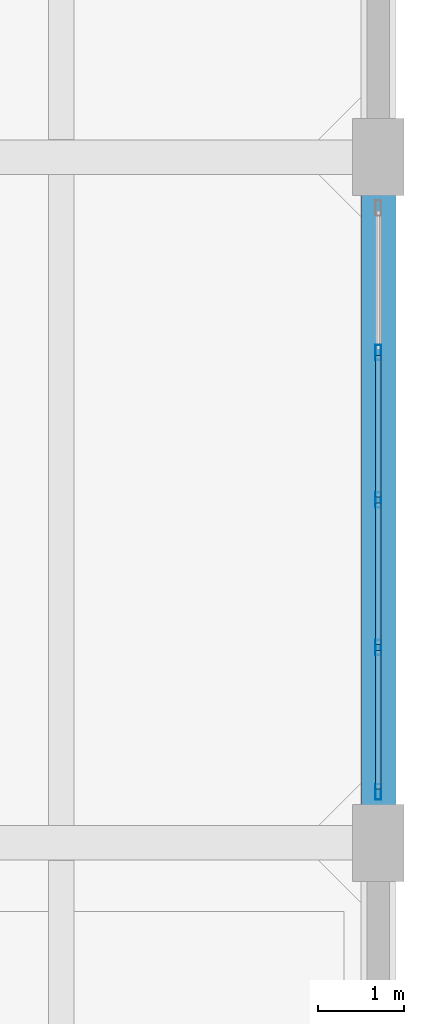
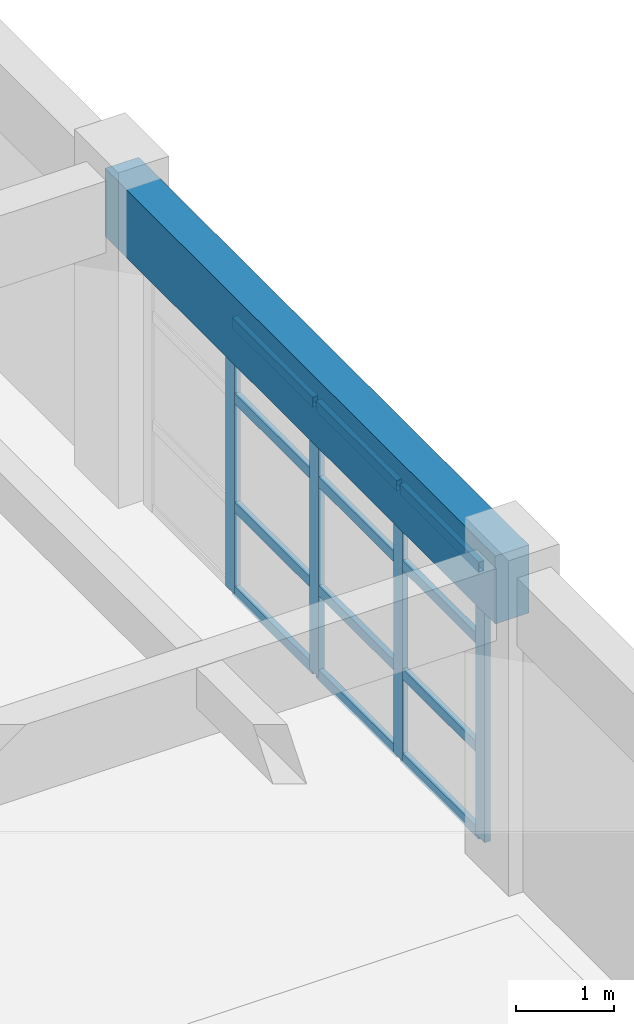
# One storey, part 17 of 35: 16 members, 1 beam, 1 element without a shape of its own.
"""IFC4 building model written with IfcOpenShell, lengths in metres."""

from ifc_helpers import new_model, si_unit, direction, frame, origin, origin_2d, place, context, subcontext, project, spatial, rectangle, hollow_rectangle, extrude, material, layer, layer_set, material_profile, profile_set, type_object, element, aggregate, save


model = new_model("IFC4")

# Units and contexts
model_context = context("Model", 3, precision=1e-05, world=origin(), true_north=direction((0.0, 1.0)))
body_context = subcontext(model_context, "Body", "Model", "MODEL_VIEW")
ifc_project = project(units=[si_unit("LENGTHUNIT", "METRE"), si_unit("AREAUNIT", "SQUARE_METRE"), si_unit("VOLUMEUNIT", "CUBIC_METRE"), si_unit("PLANEANGLEUNIT", "RADIAN"), si_unit("MASSUNIT", "GRAM", prefix="KILO")], contexts=[model_context])

# Site, building, storey
site_placement = place(None, origin())
site = spatial("IfcSite", under=ifc_project, at=site_placement, CompositionType="ELEMENT")
building_placement = place(site_placement, origin())
building = spatial("IfcBuilding", under=site, at=building_placement, Name="Canggui Botanical Conservatory", CompositionType="ELEMENT")
storey_placement = place(building_placement, frame((0.0, 0.0, 15.0)))
storey = spatial("IfcBuildingStorey", under=building, at=storey_placement, Name="L04", CompositionType="ELEMENT", Elevation=15.0)

# Beam
ifc_material_1 = material(Name="Concrete C35", Category="concrete")
ifc_material_profile_1 = material_profile(ifc_material_1, rectangle(XDim=0.39990234375, YDim=0.85009765625, at=origin_2d()), Name="RB 400x850")
ifc_profile_set_1 = profile_set([ifc_material_profile_1], Name="Concrete C35")
beam_type = type_object("IfcBeamType", Name="BM-KL08", PredefinedType="BEAM", material=ifc_profile_set_1)
beam_placement = place(storey_placement, frame((177.39990234375, 58.0, 3.52490234375), z_axis=(0.0, 1.0, 0.0), x_axis=(-1.0, 0.0, 0.0)))
element("IfcBeam", 1, at=beam_placement, inside=storey, type_object=beam_type, Name="Frame Girder L04 X178-5", PredefinedType="BEAM", context=body_context, shape_type="SweptSolid", body=[
    extrude(rectangle(XDim=0.39990234375, YDim=0.85009765625, at=origin_2d()), origin(), (0.0, 0.0, 1.0), 8.0),
])

# Curtain wall, members
ifc_material_2 = material(Name="Thermally Broken Aluminium", Category="aluminium")
ifc_layer = layer(ifc_material_2, 0.179931640625, Name="Thermally Broken Aluminium", Category="aluminium")
ifc_layer_set = layer_set([ifc_layer], Name="Thermally Broken Aluminium")
curtain_wall_type = type_object("IfcCurtainWallType", Name="CW-UNIT-A", PredefinedType="USERDEFINED", material=ifc_layer_set)
curtain_wall_placement = place(storey_placement, origin())
curtain_wall = element("IfcCurtainWall", 2, at=curtain_wall_placement, inside=storey, type_object=curtain_wall_type, Name="Facade Curtain Wall CW-TWR-L04-20", ObjectType="UNITISED CURTAIN WALL", PredefinedType="USERDEFINED")
ifc_material_profile_2 = material_profile(ifc_material_2, hollow_rectangle(XDim=0.070068359375, YDim=0.179931640625, WallThickness=0.00390625, at=origin_2d()), Name="CWM 70x180x4")
ifc_profile_set_2 = profile_set([ifc_material_profile_2], Name="Thermally Broken Aluminium")
member_type_1 = type_object("IfcMemberType", Name="CWM-01", PredefinedType="MULLION", material=ifc_profile_set_2)
member_1_placement = place(storey_placement, frame((177.39990234375, 63.719970703125, 0.0), z_axis=(0.0, 0.0, 1.0), x_axis=(1.0, 0.0, 0.0)))
member_1 = element("IfcMember", 3, at=member_1_placement, type_object=member_type_1, Name="CW-01 mullion 2", PredefinedType="MULLION", context=body_context, shape_type="SweptSolid", body=[
    extrude(hollow_rectangle(XDim=0.070068359375, YDim=0.179931640625, WallThickness=0.00390625, at=origin_2d()), origin(), (0.0, 0.0, 1.0), 3.39990234375),
])
member_2_placement = place(storey_placement, frame((177.39990234375, 62.0, 0.0), z_axis=(0.0, 0.0, 1.0), x_axis=(1.0, 0.0, 0.0)))
member_2 = element("IfcMember", 4, at=member_2_placement, type_object=member_type_1, Name="CW-01 mullion 3", PredefinedType="MULLION", context=body_context, shape_type="SweptSolid", body=[
    extrude(hollow_rectangle(XDim=0.070068359375, YDim=0.179931640625, WallThickness=0.00390625, at=origin_2d()), origin(), (0.0, 0.0, 1.0), 3.39990234375),
])
member_3_placement = place(storey_placement, frame((177.39990234375, 60.280029296875, 0.0), z_axis=(0.0, 0.0, 1.0), x_axis=(1.0, 0.0, 0.0)))
member_3 = element("IfcMember", 5, at=member_3_placement, type_object=member_type_1, Name="CW-01 mullion 4", PredefinedType="MULLION", context=body_context, shape_type="SweptSolid", body=[
    extrude(hollow_rectangle(XDim=0.070068359375, YDim=0.179931640625, WallThickness=0.00390625, at=origin_2d()), origin(), (0.0, 0.0, 1.0), 3.39990234375),
])
member_4_placement = place(storey_placement, frame((177.39990234375, 58.594970703125, 0.0), z_axis=(0.0, 0.0, 1.0), x_axis=(1.0, 0.0, 0.0)))
member_4 = element("IfcMember", 6, at=member_4_placement, type_object=member_type_1, Name="CW-01 mullion 5", PredefinedType="MULLION", context=body_context, shape_type="SweptSolid", body=[
    extrude(hollow_rectangle(XDim=0.070068359375, YDim=0.179931640625, WallThickness=0.00390625, at=origin_2d()), origin(), (0.0, 0.0, 1.0), 3.39990234375),
])
ifc_material_profile_3 = material_profile(ifc_material_2, hollow_rectangle(XDim=0.06494140625, YDim=0.1298828125, WallThickness=0.00341796875, at=origin_2d()), Name="CWT 65x130x3.5")
ifc_profile_set_3 = profile_set([ifc_material_profile_3], Name="Thermally Broken Aluminium")
member_type_2 = type_object("IfcMemberType", Name="CWT-01", PredefinedType="USERDEFINED", material=ifc_profile_set_3)
member_5_placement = place(storey_placement, frame((177.39990234375, 63.68505859375, 0.032470703125), z_axis=(0.0, -1.0, 0.0), x_axis=(1.0, 0.0, 0.0)))
member_5 = element("IfcMember", 7, at=member_5_placement, type_object=member_type_2, Name="CW-01 transom 2.1", ObjectType="TRANSOM", PredefinedType="USERDEFINED", context=body_context, shape_type="SweptSolid", body=[
    extrude(hollow_rectangle(XDim=0.06494140625, YDim=0.1298828125, WallThickness=0.00341796875, at=origin_2d()), origin(), (0.0, 0.0, 1.0), 1.650146484375),
])
member_6_placement = place(storey_placement, frame((177.39990234375, 63.68505859375, 1.087890625), z_axis=(0.0, -1.0, 0.0), x_axis=(1.0, 0.0, 0.0)))
member_6 = element("IfcMember", 8, at=member_6_placement, type_object=member_type_2, Name="CW-01 transom 2.2", ObjectType="TRANSOM", PredefinedType="USERDEFINED", context=body_context, shape_type="SweptSolid", body=[
    extrude(hollow_rectangle(XDim=0.06494140625, YDim=0.1298828125, WallThickness=0.00341796875, at=origin_2d()), origin(), (0.0, 0.0, 1.0), 1.650146484375),
])
member_7_placement = place(storey_placement, frame((177.39990234375, 63.68505859375, 2.447998046875), z_axis=(0.0, -1.0, 0.0), x_axis=(1.0, 0.0, 0.0)))
member_7 = element("IfcMember", 9, at=member_7_placement, type_object=member_type_2, Name="CW-01 transom 2.3", ObjectType="TRANSOM", PredefinedType="USERDEFINED", context=body_context, shape_type="SweptSolid", body=[
    extrude(hollow_rectangle(XDim=0.06494140625, YDim=0.1298828125, WallThickness=0.00341796875, at=origin_2d()), origin(), (0.0, 0.0, 1.0), 1.650146484375),
])
member_8_placement = place(storey_placement, frame((177.39990234375, 63.68505859375, 3.367431640625), z_axis=(0.0, -1.0, 0.0), x_axis=(1.0, 0.0, 0.0)))
member_8 = element("IfcMember", 10, at=member_8_placement, type_object=member_type_2, Name="CW-01 transom 2.4", ObjectType="TRANSOM", PredefinedType="USERDEFINED", context=body_context, shape_type="SweptSolid", body=[
    extrude(hollow_rectangle(XDim=0.06494140625, YDim=0.1298828125, WallThickness=0.00341796875, at=origin_2d()), origin(), (0.0, 0.0, 1.0), 1.650146484375),
])
member_9_placement = place(storey_placement, frame((177.39990234375, 61.965087890625, 0.032470703125), z_axis=(0.0, -1.0, 0.0), x_axis=(1.0, 0.0, 0.0)))
member_9 = element("IfcMember", 11, at=member_9_placement, type_object=member_type_2, Name="CW-01 transom 3.1", ObjectType="TRANSOM", PredefinedType="USERDEFINED", context=body_context, shape_type="SweptSolid", body=[
    extrude(hollow_rectangle(XDim=0.06494140625, YDim=0.1298828125, WallThickness=0.00341796875, at=origin_2d()), origin(), (0.0, 0.0, 1.0), 1.650146484375),
])
member_10_placement = place(storey_placement, frame((177.39990234375, 61.965087890625, 1.087890625), z_axis=(0.0, -1.0, 0.0), x_axis=(1.0, 0.0, 0.0)))
member_10 = element("IfcMember", 12, at=member_10_placement, type_object=member_type_2, Name="CW-01 transom 3.2", ObjectType="TRANSOM", PredefinedType="USERDEFINED", context=body_context, shape_type="SweptSolid", body=[
    extrude(hollow_rectangle(XDim=0.06494140625, YDim=0.1298828125, WallThickness=0.00341796875, at=origin_2d()), origin(), (0.0, 0.0, 1.0), 1.650146484375),
])
member_11_placement = place(storey_placement, frame((177.39990234375, 61.965087890625, 2.447998046875), z_axis=(0.0, -1.0, 0.0), x_axis=(1.0, 0.0, 0.0)))
member_11 = element("IfcMember", 13, at=member_11_placement, type_object=member_type_2, Name="CW-01 transom 3.3", ObjectType="TRANSOM", PredefinedType="USERDEFINED", context=body_context, shape_type="SweptSolid", body=[
    extrude(hollow_rectangle(XDim=0.06494140625, YDim=0.1298828125, WallThickness=0.00341796875, at=origin_2d()), origin(), (0.0, 0.0, 1.0), 1.650146484375),
])
member_12_placement = place(storey_placement, frame((177.39990234375, 61.965087890625, 3.367431640625), z_axis=(0.0, -1.0, 0.0), x_axis=(1.0, 0.0, 0.0)))
member_12 = element("IfcMember", 14, at=member_12_placement, type_object=member_type_2, Name="CW-01 transom 3.4", ObjectType="TRANSOM", PredefinedType="USERDEFINED", context=body_context, shape_type="SweptSolid", body=[
    extrude(hollow_rectangle(XDim=0.06494140625, YDim=0.1298828125, WallThickness=0.00341796875, at=origin_2d()), origin(), (0.0, 0.0, 1.0), 1.650146484375),
])
member_13_placement = place(storey_placement, frame((177.39990234375, 60.2451171875, 0.032470703125), z_axis=(0.0, -1.0, 0.0), x_axis=(1.0, 0.0, 0.0)))
member_13 = element("IfcMember", 15, at=member_13_placement, type_object=member_type_2, Name="CW-01 transom 4.1", ObjectType="TRANSOM", PredefinedType="USERDEFINED", context=body_context, shape_type="SweptSolid", body=[
    extrude(hollow_rectangle(XDim=0.06494140625, YDim=0.1298828125, WallThickness=0.00341796875, at=origin_2d()), origin(), (0.0, 0.0, 1.0), 1.615234375),
])
member_14_placement = place(storey_placement, frame((177.39990234375, 60.2451171875, 1.087890625), z_axis=(0.0, -1.0, 0.0), x_axis=(1.0, 0.0, 0.0)))
member_14 = element("IfcMember", 16, at=member_14_placement, type_object=member_type_2, Name="CW-01 transom 4.2", ObjectType="TRANSOM", PredefinedType="USERDEFINED", context=body_context, shape_type="SweptSolid", body=[
    extrude(hollow_rectangle(XDim=0.06494140625, YDim=0.1298828125, WallThickness=0.00341796875, at=origin_2d()), origin(), (0.0, 0.0, 1.0), 1.615234375),
])
member_15_placement = place(storey_placement, frame((177.39990234375, 60.2451171875, 2.447998046875), z_axis=(0.0, -1.0, 0.0), x_axis=(1.0, 0.0, 0.0)))
member_15 = element("IfcMember", 17, at=member_15_placement, type_object=member_type_2, Name="CW-01 transom 4.3", ObjectType="TRANSOM", PredefinedType="USERDEFINED", context=body_context, shape_type="SweptSolid", body=[
    extrude(hollow_rectangle(XDim=0.06494140625, YDim=0.1298828125, WallThickness=0.00341796875, at=origin_2d()), origin(), (0.0, 0.0, 1.0), 1.615234375),
])
member_16_placement = place(storey_placement, frame((177.39990234375, 60.2451171875, 3.367431640625), z_axis=(0.0, -1.0, 0.0), x_axis=(1.0, 0.0, 0.0)))
member_16 = element("IfcMember", 18, at=member_16_placement, type_object=member_type_2, Name="CW-01 transom 4.4", ObjectType="TRANSOM", PredefinedType="USERDEFINED", context=body_context, shape_type="SweptSolid", body=[
    extrude(hollow_rectangle(XDim=0.06494140625, YDim=0.1298828125, WallThickness=0.00341796875, at=origin_2d()), origin(), (0.0, 0.0, 1.0), 1.615234375),
])
aggregate(curtain_wall, [member_1, member_2, member_3, member_4, member_5, member_6, member_7, member_8, member_9, member_10, member_11, member_12, member_13, member_14, member_15, member_16])

save(model, "model.ifc")
